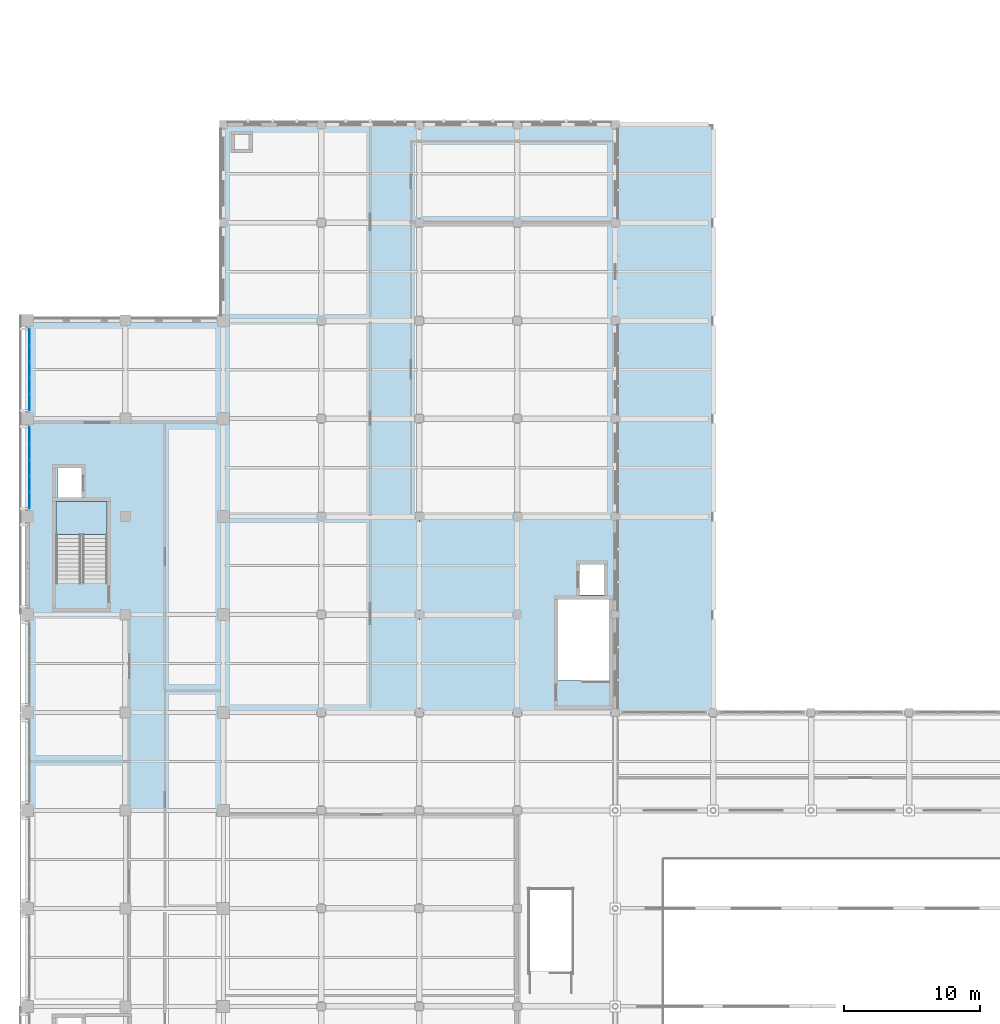
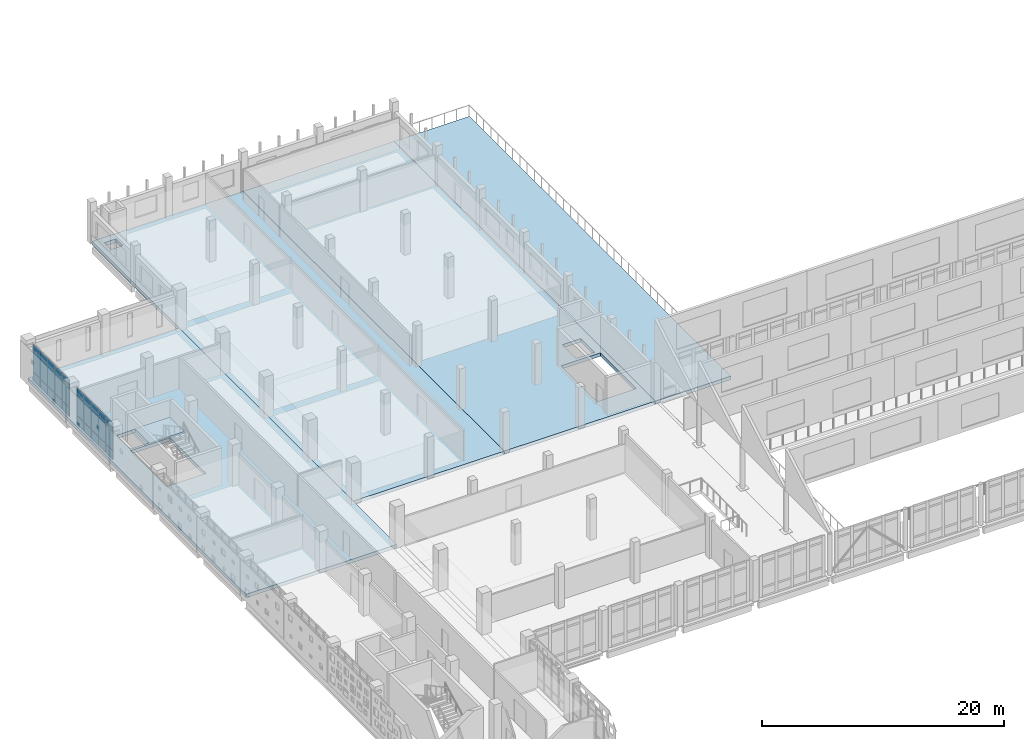
# One storey, part 34 of 62: 30 plates, 5 slabs, 3 elements without a shape of their own.
"""IFC4 building model written with IfcOpenShell, lengths in metres."""

from ifc_helpers import new_model, si_unit, direction, frame, origin, origin_2d, place, context, subcontext, project, spatial, polyline, rectangle, outline, extrude, material, layer, layer_set, type_object, element, aggregate, save


model = new_model("IFC4")

# Units and contexts
model_context = context("Model", 3, precision=1e-05, world=origin(), true_north=direction((0.0, 1.0)))
body_context = subcontext(model_context, "Body", "Model", "MODEL_VIEW")
ifc_project = project(units=[si_unit("LENGTHUNIT", "METRE"), si_unit("AREAUNIT", "SQUARE_METRE"), si_unit("VOLUMEUNIT", "CUBIC_METRE"), si_unit("PLANEANGLEUNIT", "RADIAN"), si_unit("MASSUNIT", "GRAM", prefix="KILO")], contexts=[model_context])

# Site, building, storey
site_placement = place(None, origin())
site = spatial("IfcSite", under=ifc_project, at=site_placement, CompositionType="ELEMENT")
building_placement = place(site_placement, origin())
building = spatial("IfcBuilding", under=site, at=building_placement, Name="Valkovuoma Quantum and Materials Research Institute", CompositionType="ELEMENT")
storey_placement = place(building_placement, frame((0.0, 0.0, 13.1201171875)))
storey = spatial("IfcBuildingStorey", under=building, at=storey_placement, Name="L03", CompositionType="ELEMENT", Elevation=13.1201171875)

# Curtain wall, plates
ifc_material_1 = material(Name="Thermally broken aluminium and triple low-E glazing", Category="aluminium")
ifc_layer_1 = layer(ifc_material_1, 0.219970703125)
ifc_layer_set_1 = layer_set([ifc_layer_1], Name="Thermally broken aluminium and triple low-E glazing")
curtain_wall_type = type_object("IfcCurtainWallType", Name="CW-CW-01", PredefinedType="NOTDEFINED", material=ifc_layer_set_1)
curtain_wall_1_placement = place(storey_placement, origin())
curtain_wall_1 = element("IfcCurtainWall", 1, at=curtain_wall_1_placement, inside=storey, type_object=curtain_wall_type, Name="L03 curtain wall 036", PredefinedType="NOTDEFINED")
ifc_material_2 = material(Name="Triple low-E argon insulating glass", Category="glass")
ifc_layer_2 = layer(ifc_material_2, 0.035888671875)
ifc_layer_set_2 = layer_set([ifc_layer_2], Name="Triple low-E argon insulating glass")
plate_type = type_object("IfcPlateType", Name="CWPanel-CWP-01", PredefinedType="CURTAIN_PANEL", material=ifc_layer_set_2)
plate_1_placement = place(storey_placement, frame((0.14990234375, 80.3818359375, 0.06494140625), z_axis=(0.0, 0.0, 1.0), x_axis=(0.0, 1.0, 0.0)))
plate_1 = element("IfcPlate", 2, at=plate_1_placement, type_object=plate_type, Name="CW-01 panel 1.1", PredefinedType="CURTAIN_PANEL", context=body_context, shape_type="SweptSolid", body=[
    extrude(rectangle(XDim=1.11962890625, YDim=0.035888671875, at=origin_2d()), origin(), (0.0, 0.0, 1.0), 0.8525390625),
])
plate_2_placement = place(storey_placement, frame((0.14990234375, 80.3818359375, 0.982421875), z_axis=(0.0, 0.0, 1.0), x_axis=(0.0, 1.0, 0.0)))
plate_2 = element("IfcPlate", 3, at=plate_2_placement, type_object=plate_type, Name="CW-01 panel 1.2", PredefinedType="CURTAIN_PANEL", context=body_context, shape_type="SweptSolid", body=[
    extrude(rectangle(XDim=1.11962890625, YDim=0.035888671875, at=origin_2d()), origin(), (0.0, 0.0, 1.0), 2.14501953125),
])
plate_3_placement = place(storey_placement, frame((0.14990234375, 80.3818359375, 3.1923828125), z_axis=(0.0, 0.0, 1.0), x_axis=(0.0, 1.0, 0.0)))
plate_3 = element("IfcPlate", 4, at=plate_3_placement, type_object=plate_type, Name="CW-01 panel 1.3", PredefinedType="CURTAIN_PANEL", context=body_context, shape_type="SweptSolid", body=[
    extrude(rectangle(XDim=1.11962890625, YDim=0.035888671875, at=origin_2d()), origin(), (0.0, 0.0, 1.0), 0.552490234375),
])
plate_4_placement = place(storey_placement, frame((0.14990234375, 81.582763671875, 0.06494140625), z_axis=(0.0, 0.0, 1.0), x_axis=(0.0, 1.0, 0.0)))
plate_4 = element("IfcPlate", 5, at=plate_4_placement, type_object=plate_type, Name="CW-01 panel 2.1", PredefinedType="CURTAIN_PANEL", context=body_context, shape_type="SweptSolid", body=[
    extrude(rectangle(XDim=1.152099609375, YDim=0.035888671875, at=origin_2d()), origin(), (0.0, 0.0, 1.0), 0.8525390625),
])
plate_5_placement = place(storey_placement, frame((0.14990234375, 81.582763671875, 0.982421875), z_axis=(0.0, 0.0, 1.0), x_axis=(0.0, 1.0, 0.0)))
plate_5 = element("IfcPlate", 6, at=plate_5_placement, type_object=plate_type, Name="CW-01 panel 2.2", PredefinedType="CURTAIN_PANEL", context=body_context, shape_type="SweptSolid", body=[
    extrude(rectangle(XDim=1.152099609375, YDim=0.035888671875, at=origin_2d()), origin(), (0.0, 0.0, 1.0), 2.14501953125),
])
plate_6_placement = place(storey_placement, frame((0.14990234375, 81.582763671875, 3.1923828125), z_axis=(0.0, 0.0, 1.0), x_axis=(0.0, 1.0, 0.0)))
plate_6 = element("IfcPlate", 7, at=plate_6_placement, type_object=plate_type, Name="CW-01 panel 2.3", PredefinedType="CURTAIN_PANEL", context=body_context, shape_type="SweptSolid", body=[
    extrude(rectangle(XDim=1.152099609375, YDim=0.035888671875, at=origin_2d()), origin(), (0.0, 0.0, 1.0), 0.552490234375),
])
plate_7_placement = place(storey_placement, frame((0.14990234375, 82.800048828125, 0.06494140625), z_axis=(0.0, 0.0, 1.0), x_axis=(0.0, 1.0, 0.0)))
plate_7 = element("IfcPlate", 8, at=plate_7_placement, type_object=plate_type, Name="CW-01 panel 3.1", PredefinedType="CURTAIN_PANEL", context=body_context, shape_type="SweptSolid", body=[
    extrude(rectangle(XDim=1.152099609375, YDim=0.035888671875, at=origin_2d()), origin(), (0.0, 0.0, 1.0), 0.8525390625),
])
plate_8_placement = place(storey_placement, frame((0.14990234375, 82.800048828125, 0.982421875), z_axis=(0.0, 0.0, 1.0), x_axis=(0.0, 1.0, 0.0)))
plate_8 = element("IfcPlate", 9, at=plate_8_placement, type_object=plate_type, Name="CW-01 panel 3.2", PredefinedType="CURTAIN_PANEL", context=body_context, shape_type="SweptSolid", body=[
    extrude(rectangle(XDim=1.152099609375, YDim=0.035888671875, at=origin_2d()), origin(), (0.0, 0.0, 1.0), 2.14501953125),
])
plate_9_placement = place(storey_placement, frame((0.14990234375, 82.800048828125, 3.1923828125), z_axis=(0.0, 0.0, 1.0), x_axis=(0.0, 1.0, 0.0)))
plate_9 = element("IfcPlate", 10, at=plate_9_placement, type_object=plate_type, Name="CW-01 panel 3.3", PredefinedType="CURTAIN_PANEL", context=body_context, shape_type="SweptSolid", body=[
    extrude(rectangle(XDim=1.152099609375, YDim=0.035888671875, at=origin_2d()), origin(), (0.0, 0.0, 1.0), 0.552490234375),
])
plate_10_placement = place(storey_placement, frame((0.14990234375, 84.01708984375, 0.06494140625), z_axis=(0.0, 0.0, 1.0), x_axis=(0.0, 1.0, 0.0)))
plate_10 = element("IfcPlate", 11, at=plate_10_placement, type_object=plate_type, Name="CW-01 panel 4.1", PredefinedType="CURTAIN_PANEL", context=body_context, shape_type="SweptSolid", body=[
    extrude(rectangle(XDim=1.152099609375, YDim=0.035888671875, at=origin_2d()), origin(), (0.0, 0.0, 1.0), 0.8525390625),
])
plate_11_placement = place(storey_placement, frame((0.14990234375, 84.01708984375, 0.982421875), z_axis=(0.0, 0.0, 1.0), x_axis=(0.0, 1.0, 0.0)))
plate_11 = element("IfcPlate", 12, at=plate_11_placement, type_object=plate_type, Name="CW-01 panel 4.2", PredefinedType="CURTAIN_PANEL", context=body_context, shape_type="SweptSolid", body=[
    extrude(rectangle(XDim=1.152099609375, YDim=0.035888671875, at=origin_2d()), origin(), (0.0, 0.0, 1.0), 2.14501953125),
])
plate_12_placement = place(storey_placement, frame((0.14990234375, 84.01708984375, 3.1923828125), z_axis=(0.0, 0.0, 1.0), x_axis=(0.0, 1.0, 0.0)))
plate_12 = element("IfcPlate", 13, at=plate_12_placement, type_object=plate_type, Name="CW-01 panel 4.3", PredefinedType="CURTAIN_PANEL", context=body_context, shape_type="SweptSolid", body=[
    extrude(rectangle(XDim=1.152099609375, YDim=0.035888671875, at=origin_2d()), origin(), (0.0, 0.0, 1.0), 0.552490234375),
])
plate_13_placement = place(storey_placement, frame((0.14990234375, 85.218017578125, 0.06494140625), z_axis=(0.0, 0.0, 1.0), x_axis=(0.0, 1.0, 0.0)))
plate_13 = element("IfcPlate", 14, at=plate_13_placement, type_object=plate_type, Name="CW-01 panel 5.1", PredefinedType="CURTAIN_PANEL", context=body_context, shape_type="SweptSolid", body=[
    extrude(rectangle(XDim=1.11962890625, YDim=0.035888671875, at=origin_2d()), origin(), (0.0, 0.0, 1.0), 0.8525390625),
])
plate_14_placement = place(storey_placement, frame((0.14990234375, 85.218017578125, 0.982421875), z_axis=(0.0, 0.0, 1.0), x_axis=(0.0, 1.0, 0.0)))
plate_14 = element("IfcPlate", 15, at=plate_14_placement, type_object=plate_type, Name="CW-01 panel 5.2", PredefinedType="CURTAIN_PANEL", context=body_context, shape_type="SweptSolid", body=[
    extrude(rectangle(XDim=1.11962890625, YDim=0.035888671875, at=origin_2d()), origin(), (0.0, 0.0, 1.0), 2.14501953125),
])
plate_15_placement = place(storey_placement, frame((0.14990234375, 85.218017578125, 3.1923828125), z_axis=(0.0, 0.0, 1.0), x_axis=(0.0, 1.0, 0.0)))
plate_15 = element("IfcPlate", 16, at=plate_15_placement, type_object=plate_type, Name="CW-01 panel 5.3", PredefinedType="CURTAIN_PANEL", context=body_context, shape_type="SweptSolid", body=[
    extrude(rectangle(XDim=1.11962890625, YDim=0.035888671875, at=origin_2d()), origin(), (0.0, 0.0, 1.0), 0.552490234375),
])
aggregate(curtain_wall_1, [plate_1, plate_2, plate_3, plate_4, plate_5, plate_6, plate_7, plate_8, plate_9, plate_10, plate_11, plate_12, plate_13, plate_14, plate_15])

curtain_wall_2_placement = place(storey_placement, origin())
curtain_wall_2 = element("IfcCurtainWall", 17, at=curtain_wall_2_placement, inside=storey, type_object=curtain_wall_type, Name="L03 curtain wall 037", PredefinedType="NOTDEFINED")
plate_16_placement = place(storey_placement, frame((0.14990234375, 87.58203125, 0.06494140625), z_axis=(0.0, 0.0, 1.0), x_axis=(0.0, 1.0, 0.0)))
plate_16 = element("IfcPlate", 18, at=plate_16_placement, type_object=plate_type, Name="CW-01 panel 1.1", PredefinedType="CURTAIN_PANEL", context=body_context, shape_type="SweptSolid", body=[
    extrude(rectangle(XDim=1.11962890625, YDim=0.035888671875, at=origin_2d()), origin(), (0.0, 0.0, 1.0), 0.8525390625),
])
plate_17_placement = place(storey_placement, frame((0.14990234375, 87.58203125, 0.982421875), z_axis=(0.0, 0.0, 1.0), x_axis=(0.0, 1.0, 0.0)))
plate_17 = element("IfcPlate", 19, at=plate_17_placement, type_object=plate_type, Name="CW-01 panel 1.2", PredefinedType="CURTAIN_PANEL", context=body_context, shape_type="SweptSolid", body=[
    extrude(rectangle(XDim=1.11962890625, YDim=0.035888671875, at=origin_2d()), origin(), (0.0, 0.0, 1.0), 2.14501953125),
])
plate_18_placement = place(storey_placement, frame((0.14990234375, 87.58203125, 3.1923828125), z_axis=(0.0, 0.0, 1.0), x_axis=(0.0, 1.0, 0.0)))
plate_18 = element("IfcPlate", 20, at=plate_18_placement, type_object=plate_type, Name="CW-01 panel 1.3", PredefinedType="CURTAIN_PANEL", context=body_context, shape_type="SweptSolid", body=[
    extrude(rectangle(XDim=1.11962890625, YDim=0.035888671875, at=origin_2d()), origin(), (0.0, 0.0, 1.0), 0.552490234375),
])
plate_19_placement = place(storey_placement, frame((0.14990234375, 88.782958984375, 0.06494140625), z_axis=(0.0, 0.0, 1.0), x_axis=(0.0, 1.0, 0.0)))
plate_19 = element("IfcPlate", 21, at=plate_19_placement, type_object=plate_type, Name="CW-01 panel 2.1", PredefinedType="CURTAIN_PANEL", context=body_context, shape_type="SweptSolid", body=[
    extrude(rectangle(XDim=1.152099609375, YDim=0.035888671875, at=origin_2d()), origin(), (0.0, 0.0, 1.0), 0.8525390625),
])
plate_20_placement = place(storey_placement, frame((0.14990234375, 88.782958984375, 0.982421875), z_axis=(0.0, 0.0, 1.0), x_axis=(0.0, 1.0, 0.0)))
plate_20 = element("IfcPlate", 22, at=plate_20_placement, type_object=plate_type, Name="CW-01 panel 2.2", PredefinedType="CURTAIN_PANEL", context=body_context, shape_type="SweptSolid", body=[
    extrude(rectangle(XDim=1.152099609375, YDim=0.035888671875, at=origin_2d()), origin(), (0.0, 0.0, 1.0), 2.14501953125),
])
plate_21_placement = place(storey_placement, frame((0.14990234375, 88.782958984375, 3.1923828125), z_axis=(0.0, 0.0, 1.0), x_axis=(0.0, 1.0, 0.0)))
plate_21 = element("IfcPlate", 23, at=plate_21_placement, type_object=plate_type, Name="CW-01 panel 2.3", PredefinedType="CURTAIN_PANEL", context=body_context, shape_type="SweptSolid", body=[
    extrude(rectangle(XDim=1.152099609375, YDim=0.035888671875, at=origin_2d()), origin(), (0.0, 0.0, 1.0), 0.552490234375),
])
plate_22_placement = place(storey_placement, frame((0.14990234375, 90.0, 0.06494140625), z_axis=(0.0, 0.0, 1.0), x_axis=(0.0, 1.0, 0.0)))
plate_22 = element("IfcPlate", 24, at=plate_22_placement, type_object=plate_type, Name="CW-01 panel 3.1", PredefinedType="CURTAIN_PANEL", context=body_context, shape_type="SweptSolid", body=[
    extrude(rectangle(XDim=1.152099609375, YDim=0.035888671875, at=origin_2d()), origin(), (0.0, 0.0, 1.0), 0.8525390625),
])
plate_23_placement = place(storey_placement, frame((0.14990234375, 90.0, 0.982421875), z_axis=(0.0, 0.0, 1.0), x_axis=(0.0, 1.0, 0.0)))
plate_23 = element("IfcPlate", 25, at=plate_23_placement, type_object=plate_type, Name="CW-01 panel 3.2", PredefinedType="CURTAIN_PANEL", context=body_context, shape_type="SweptSolid", body=[
    extrude(rectangle(XDim=1.152099609375, YDim=0.035888671875, at=origin_2d()), origin(), (0.0, 0.0, 1.0), 2.14501953125),
])
plate_24_placement = place(storey_placement, frame((0.14990234375, 90.0, 3.1923828125), z_axis=(0.0, 0.0, 1.0), x_axis=(0.0, 1.0, 0.0)))
plate_24 = element("IfcPlate", 26, at=plate_24_placement, type_object=plate_type, Name="CW-01 panel 3.3", PredefinedType="CURTAIN_PANEL", context=body_context, shape_type="SweptSolid", body=[
    extrude(rectangle(XDim=1.152099609375, YDim=0.035888671875, at=origin_2d()), origin(), (0.0, 0.0, 1.0), 0.552490234375),
])
plate_25_placement = place(storey_placement, frame((0.14990234375, 91.217041015625, 0.06494140625), z_axis=(0.0, 0.0, 1.0), x_axis=(0.0, 1.0, 0.0)))
plate_25 = element("IfcPlate", 27, at=plate_25_placement, type_object=plate_type, Name="CW-01 panel 4.1", PredefinedType="CURTAIN_PANEL", context=body_context, shape_type="SweptSolid", body=[
    extrude(rectangle(XDim=1.152099609375, YDim=0.035888671875, at=origin_2d()), origin(), (0.0, 0.0, 1.0), 0.8525390625),
])
plate_26_placement = place(storey_placement, frame((0.14990234375, 91.217041015625, 0.982421875), z_axis=(0.0, 0.0, 1.0), x_axis=(0.0, 1.0, 0.0)))
plate_26 = element("IfcPlate", 28, at=plate_26_placement, type_object=plate_type, Name="CW-01 panel 4.2", PredefinedType="CURTAIN_PANEL", context=body_context, shape_type="SweptSolid", body=[
    extrude(rectangle(XDim=1.152099609375, YDim=0.035888671875, at=origin_2d()), origin(), (0.0, 0.0, 1.0), 2.14501953125),
])
plate_27_placement = place(storey_placement, frame((0.14990234375, 91.217041015625, 3.1923828125), z_axis=(0.0, 0.0, 1.0), x_axis=(0.0, 1.0, 0.0)))
plate_27 = element("IfcPlate", 29, at=plate_27_placement, type_object=plate_type, Name="CW-01 panel 4.3", PredefinedType="CURTAIN_PANEL", context=body_context, shape_type="SweptSolid", body=[
    extrude(rectangle(XDim=1.152099609375, YDim=0.035888671875, at=origin_2d()), origin(), (0.0, 0.0, 1.0), 0.552490234375),
])
plate_28_placement = place(storey_placement, frame((0.14990234375, 92.41796875, 0.06494140625), z_axis=(0.0, 0.0, 1.0), x_axis=(0.0, 1.0, 0.0)))
plate_28 = element("IfcPlate", 30, at=plate_28_placement, type_object=plate_type, Name="CW-01 panel 5.1", PredefinedType="CURTAIN_PANEL", context=body_context, shape_type="SweptSolid", body=[
    extrude(rectangle(XDim=1.11962890625, YDim=0.035888671875, at=origin_2d()), origin(), (0.0, 0.0, 1.0), 0.8525390625),
])
plate_29_placement = place(storey_placement, frame((0.14990234375, 92.41796875, 0.982421875), z_axis=(0.0, 0.0, 1.0), x_axis=(0.0, 1.0, 0.0)))
plate_29 = element("IfcPlate", 31, at=plate_29_placement, type_object=plate_type, Name="CW-01 panel 5.2", PredefinedType="CURTAIN_PANEL", context=body_context, shape_type="SweptSolid", body=[
    extrude(rectangle(XDim=1.11962890625, YDim=0.035888671875, at=origin_2d()), origin(), (0.0, 0.0, 1.0), 2.14501953125),
])
plate_30_placement = place(storey_placement, frame((0.14990234375, 92.41796875, 3.1923828125), z_axis=(0.0, 0.0, 1.0), x_axis=(0.0, 1.0, 0.0)))
plate_30 = element("IfcPlate", 32, at=plate_30_placement, type_object=plate_type, Name="CW-01 panel 5.3", PredefinedType="CURTAIN_PANEL", context=body_context, shape_type="SweptSolid", body=[
    extrude(rectangle(XDim=1.11962890625, YDim=0.035888671875, at=origin_2d()), origin(), (0.0, 0.0, 1.0), 0.552490234375),
])
aggregate(curtain_wall_2, [plate_16, plate_17, plate_18, plate_19, plate_20, plate_21, plate_22, plate_23, plate_24, plate_25, plate_26, plate_27, plate_28, plate_29, plate_30])

# Slabs
ifc_material_3 = material(Name="Concrete C40/50", Category="concrete")
ifc_layer_3 = layer(ifc_material_3, 0.35009765625)
ifc_layer_set_3 = layer_set([ifc_layer_3], Name="Concrete C40/50")
slab_type_1 = type_object("IfcSlabType", Name="Slab-SL-FL350", PredefinedType="FLOOR", material=ifc_layer_set_3)
slab_1_placement = place(storey_placement, frame((0.0, 0.0, -0.35009765625)))
element("IfcSlab", 33, at=slab_1_placement, inside=storey, type_object=slab_type_1, Name="L03 vol3_cleanroom structural slab 1", PredefinedType="FLOOR", context=body_context, shape_type="SweptSolid", body=[
    extrude(outline(polyline([(14.39990234375, 64.800048828125), (28.800048828125, 64.800048828125), (28.800048828125, 108.0), (14.39990234375, 108.0), (14.39990234375, 64.800048828125)]), holes=[polyline([(15.199951171875, 106.199951171875), (16.300048828125, 106.199951171875), (16.300048828125, 107.300048828125), (15.199951171875, 107.300048828125), (15.199951171875, 106.199951171875)])]), origin(), (0.0, 0.0, 1.0), 0.35009765625),
])
slab_2_placement = place(storey_placement, frame((0.0, 0.0, -0.35009765625)))
element("IfcSlab", 34, at=slab_2_placement, inside=storey, type_object=slab_type_1, Name="L03 vol3_cleanroom structural slab 2", PredefinedType="FLOOR", context=body_context, shape_type="SweptSolid", body=[
    extrude(outline(polyline([(28.800048828125, 64.800048828125), (43.199951171875, 64.800048828125), (43.199951171875, 108.0), (28.800048828125, 108.0), (28.800048828125, 64.800048828125)]), holes=[polyline([(39.0, 67.159912109375), (42.75, 67.159912109375), (42.75, 73.10009765625), (39.0, 73.10009765625), (39.0, 67.159912109375)]), polyline([(40.6201171875, 73.419921875), (42.3798828125, 73.419921875), (42.3798828125, 75.679931640625), (40.6201171875, 75.679931640625), (40.6201171875, 73.419921875)])]), origin(), (0.0, 0.0, 1.0), 0.35009765625),
])
slab_3_placement = place(storey_placement, frame((0.0, 0.0, -0.35009765625)))
element("IfcSlab", 35, at=slab_3_placement, inside=storey, type_object=slab_type_1, Name="L03 vol5_drylab structural slab 2", PredefinedType="FLOOR", context=body_context, shape_type="SweptSolid", body=[
    extrude(outline(polyline([(0.0, 57.60009765625), (14.39990234375, 57.60009765625), (14.39990234375, 93.60009765625), (0.0, 93.60009765625), (0.0, 57.60009765625)]), holes=[polyline([(2.10009765625, 74.360107421875), (5.85009765625, 74.360107421875), (5.85009765625, 80.300048828125), (2.10009765625, 80.300048828125), (2.10009765625, 74.360107421875)]), polyline([(2.219970703125, 80.52001953125), (3.97998046875, 80.52001953125), (3.97998046875, 82.780029296875), (2.219970703125, 82.780029296875), (2.219970703125, 80.52001953125)])]), origin(), (0.0, 0.0, 1.0), 0.35009765625),
])

# Stair, slab
ifc_material_4 = material(Name="Concrete C40/50", Category="concrete")
stair_type = type_object("IfcStairType", Name="Stair-ST-COR", PredefinedType="HALF_TURN_STAIR", material=ifc_material_4)
stair_placement = place(storey_placement, origin())
stair = element("IfcStair", 36, at=stair_placement, inside=storey, type_object=stair_type, Name="L03 Exit Stair ST-2", PredefinedType="HALF_TURN_STAIR")
ifc_material_5 = material(Name="Concrete C40/50", Category="concrete")
ifc_layer_4 = layer(ifc_material_5, 0.199951171875)
ifc_layer_set_4 = layer_set([ifc_layer_4], Name="Concrete C40/50")
slab_type_2 = type_object("IfcSlabType", Name="Slab-SL-LND200", PredefinedType="LANDING", material=ifc_layer_set_4)
slab_4_placement = place(storey_placement, frame((0.0, 0.0, 1.8798828125)))
slab_4 = element("IfcSlab", 37, at=slab_4_placement, type_object=slab_type_2, Name="ST-2 landing 1", PredefinedType="LANDING", context=body_context, shape_type="SweptSolid", body=[
    extrude(outline(polyline([(5.85009765625, 77.89990234375), (5.85009765625, 80.300048828125), (2.10009765625, 80.300048828125), (2.10009765625, 77.89990234375), (5.85009765625, 77.89990234375)])), origin(), (0.0, 0.0, 1.0), 0.199951171875),
])
aggregate(stair, [slab_4])

# Slab
ifc_material_6 = material(Name="Concrete C40/50", Category="concrete")
ifc_layer_5 = layer(ifc_material_6, 0.35009765625)
ifc_layer_set_5 = layer_set([ifc_layer_5], Name="Concrete C40/50")
slab_type_3 = type_object("IfcSlabType", Name="Slab-SL-TER350", PredefinedType="FLOOR", material=ifc_layer_set_5)
slab_5_placement = place(storey_placement, frame((0.0, 0.0, -0.35009765625)))
element("IfcSlab", 38, at=slab_5_placement, inside=storey, type_object=slab_type_3, Name="L03 outdoor deck TERR_CLEAN_COURT", PredefinedType="FLOOR", context=body_context, shape_type="SweptSolid", body=[
    extrude(outline(polyline([(43.199951171875, 64.800048828125), (50.39990234375, 64.800048828125), (50.39990234375, 108.0), (43.199951171875, 108.0), (43.199951171875, 64.800048828125)])), origin(), (0.0, 0.0, 1.0), 0.35009765625),
])

save(model, "model.ifc")
